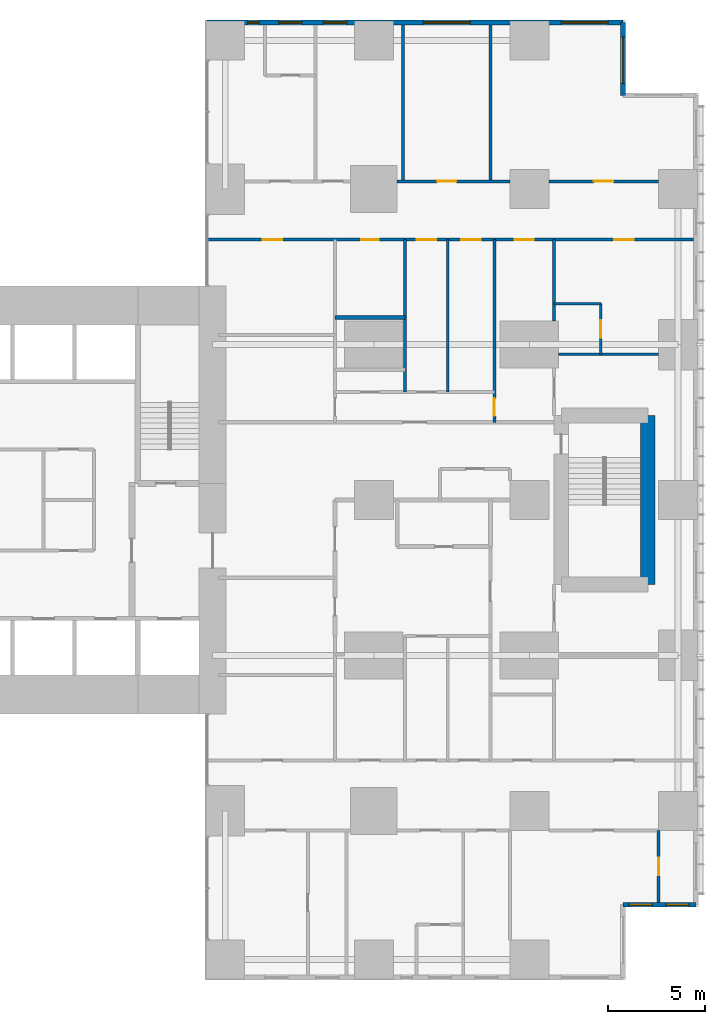
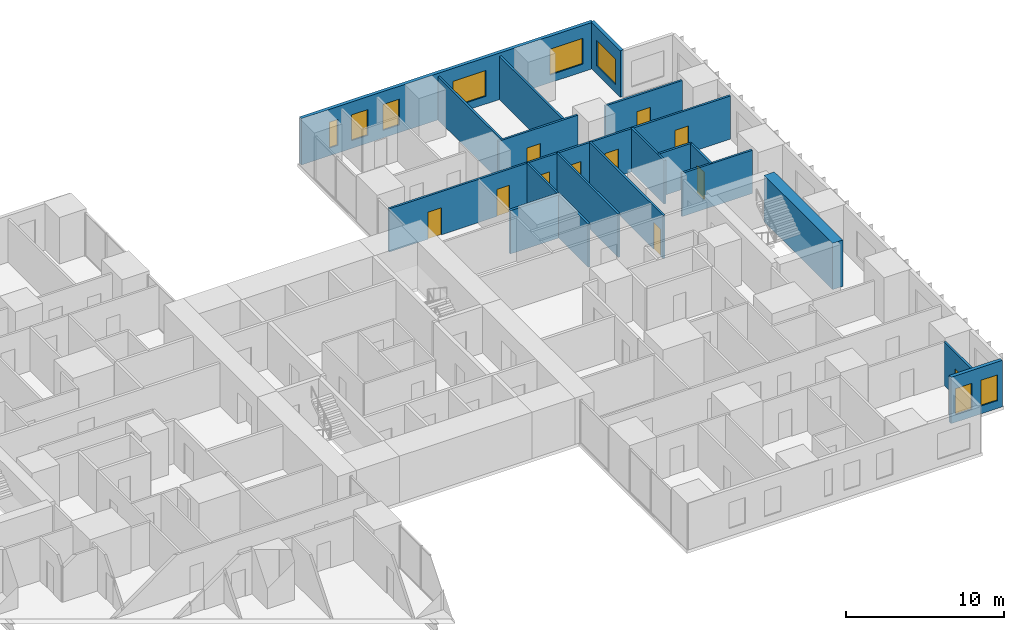
# One storey, part 18 of 20: 18 walls, 11 doors, 8 windows, 19 openings.
"""IFC4 building model written with IfcOpenShell, lengths in metres."""

from ifc_helpers import new_model, si_unit, direction, frame, frame_2d, origin, place, context, subcontext, project, spatial, rectangle, extrude, material, layer, layer_set, type_object, element, fill, save


model = new_model("IFC4")

# Units and contexts
model_context = context("Model", 3, precision=1e-05, world=origin(), true_north=direction((0.0, 1.0)))
body_context = subcontext(model_context, "Body", "Model", "MODEL_VIEW")
ifc_project = project(units=[si_unit("LENGTHUNIT", "METRE"), si_unit("AREAUNIT", "SQUARE_METRE"), si_unit("VOLUMEUNIT", "CUBIC_METRE"), si_unit("PLANEANGLEUNIT", "RADIAN"), si_unit("MASSUNIT", "GRAM", prefix="KILO")], contexts=[model_context])

# Site, building, storey
site_placement = place(None, origin())
site = spatial("IfcSite", under=ifc_project, at=site_placement, CompositionType="ELEMENT")
building_placement = place(site_placement, origin())
building = spatial("IfcBuilding", under=site, at=building_placement, Name="Cleftline Residences", CompositionType="ELEMENT")
storey_placement = place(building_placement, frame((0.0, 0.0, 72.800048828125)))
storey = spatial("IfcBuildingStorey", under=building, at=storey_placement, Name="L18", CompositionType="ELEMENT", Elevation=72.800048828125)

# Wall, openings, windows
ifc_material_1 = material(Name="Rendered reinforced concrete blockwork", Category="masonry")
ifc_layer_1 = layer(ifc_material_1, 0.25)
ifc_layer_set_1 = layer_set([ifc_layer_1], Name="EXTERNAL WALL 250")
wall_type_1 = type_object("IfcWallType", Name="EXTERNAL WALL 250", PredefinedType="SOLIDWALL", material=ifc_layer_set_1)
wall_1_placement = place(storey_placement, frame((62.824951171875, 3.175048828125, 0.0), z_axis=(0.0, 0.0, 1.0), x_axis=(1.0, 0.0, 0.0)))
wall_1 = element("IfcWall", 1, at=wall_1_placement, inside=storey, type_object=wall_type_1, Name="External wall", PredefinedType="SOLIDWALL", context=body_context, shape_type="SweptSolid", body=[
    extrude(rectangle(XDim=3.75, YDim=0.25, at=frame_2d((1.875, 0.0))), origin(), (0.0, 0.0, 1.0), 3.599853515625),
])
opening_1_placement = place(wall_1_placement, frame((0.3125, 0.0, 0.60009765625)))
opening_1 = element("IfcOpeningElement", 2, at=opening_1_placement, cuts=wall_1, Name="Opening W8", PredefinedType="OPENING", context=body_context, shape_type="SweptSolid", body=[
    extrude(rectangle(XDim=1.199951171875, YDim=2.0, at=frame_2d((0.60009765625, 1.0))), frame((0.0, 0.135009765625, 0.0), z_axis=(0.0, -1.0, 0.0), x_axis=(1.0, 0.0, 0.0)), (0.0, 0.0, 1.0), 0.27001953125),
])
opening_2_placement = place(wall_1_placement, frame((2.199951171875, 0.0, 0.60009765625)))
opening_2 = element("IfcOpeningElement", 3, at=opening_2_placement, cuts=wall_1, Name="Opening W8", PredefinedType="OPENING", context=body_context, shape_type="SweptSolid", body=[
    extrude(rectangle(XDim=1.199951171875, YDim=2.0, at=frame_2d((0.60009765625, 1.0))), frame((0.0, 0.135009765625, 0.0), z_axis=(0.0, -1.0, 0.0), x_axis=(1.0, 0.0, 0.0)), (0.0, 0.0, 1.0), 0.27001953125),
])
ifc_material_2 = material(Name="Aluminium frame, clear double glazing", Category="aluminium")
window_type_1 = type_object("IfcWindowType", Name="WINDOW 1200X2000", PartitioningType="DOUBLE_PANEL_VERTICAL", PredefinedType="WINDOW", material=ifc_material_2)
window_1_placement = place(opening_1_placement, origin())
window_1 = element("IfcWindow", 4, at=window_1_placement, inside=storey, type_object=window_type_1, Name="Window", OverallHeight=2.0, OverallWidth=1.199951171875, PartitioningType="SINGLE_PANEL", PredefinedType="WINDOW", context=body_context, shape_type="SweptSolid", body=[
    extrude(rectangle(XDim=1.199951171875, YDim=2.0, at=frame_2d((0.60009765625, 1.0))), frame((0.0, 0.030029296875, 0.0), z_axis=(0.0, -1.0, 0.0), x_axis=(1.0, 0.0, 0.0)), (0.0, 0.0, 1.0), 0.06005859375),
])
fill(opening_1, window_1)
window_2_placement = place(opening_2_placement, origin())
window_2 = element("IfcWindow", 5, at=window_2_placement, inside=storey, type_object=window_type_1, Name="Window", OverallHeight=2.0, OverallWidth=1.199951171875, PartitioningType="SINGLE_PANEL", PredefinedType="WINDOW", context=body_context, shape_type="SweptSolid", body=[
    extrude(rectangle(XDim=1.199951171875, YDim=2.0, at=frame_2d((0.60009765625, 1.0))), frame((0.0, 0.030029296875, 0.0), z_axis=(0.0, -1.0, 0.0), x_axis=(1.0, 0.0, 0.0)), (0.0, 0.0, 1.0), 0.06005859375),
])
fill(opening_2, window_2)

# Wall, opening, window
wall_2_placement = place(storey_placement, frame((62.824951171875, 44.824951171875, 0.0), z_axis=(0.0, 0.0, 1.0), x_axis=(0.0, 1.0, 0.0)))
wall_2 = element("IfcWall", 6, at=wall_2_placement, inside=storey, type_object=wall_type_1, Name="External wall", PredefinedType="SOLIDWALL", context=body_context, shape_type="SweptSolid", body=[
    extrude(rectangle(XDim=3.75, YDim=0.25, at=frame_2d((1.875, 0.0))), origin(), (0.0, 0.0, 1.0), 3.599853515625),
])
opening_3_placement = place(wall_2_placement, frame((0.612548828125, 0.0, 0.60009765625)))
opening_3 = element("IfcOpeningElement", 7, at=opening_3_placement, cuts=wall_2, Name="Opening W6", PredefinedType="OPENING", context=body_context, shape_type="SweptSolid", body=[
    extrude(rectangle(XDim=2.39990234375, YDim=2.0, at=frame_2d((1.199951171875, 1.0))), frame((0.0, 0.135009765625, 0.0), z_axis=(0.0, -1.0, 0.0), x_axis=(1.0, 0.0, 0.0)), (0.0, 0.0, 1.0), 0.27001953125),
])
ifc_material_3 = material(Name="Aluminium frame, clear double glazing", Category="aluminium")
window_type_2 = type_object("IfcWindowType", Name="WINDOW 2400X2000", PartitioningType="DOUBLE_PANEL_VERTICAL", PredefinedType="WINDOW", material=ifc_material_3)
window_3_placement = place(opening_3_placement, origin())
window_3 = element("IfcWindow", 8, at=window_3_placement, inside=storey, type_object=window_type_2, Name="Window", OverallHeight=2.0, OverallWidth=2.39990234375, PartitioningType="SINGLE_PANEL", PredefinedType="WINDOW", context=body_context, shape_type="SweptSolid", body=[
    extrude(rectangle(XDim=2.39990234375, YDim=2.0, at=frame_2d((1.199951171875, 1.0))), frame((0.0, 0.030029296875, 0.0), z_axis=(0.0, -1.0, 0.0), x_axis=(1.0, 0.0, 0.0)), (0.0, 0.0, 1.0), 0.06005859375),
])
fill(opening_3, window_3)

# Wall, openings, windows
wall_3_placement = place(storey_placement, frame((62.824951171875, 48.574951171875, 0.0), z_axis=(0.0, 0.0, 1.0), x_axis=(-1.0, 0.0, 0.0)))
wall_3 = element("IfcWall", 9, at=wall_3_placement, inside=storey, type_object=wall_type_1, Name="External wall", PredefinedType="SOLIDWALL", context=body_context, shape_type="SweptSolid", body=[
    extrude(rectangle(XDim=21.39990234375, YDim=0.25, at=frame_2d((10.699951171875, 0.0))), origin(), (0.0, 0.0, 1.0), 3.599853515625),
])
opening_4_placement = place(wall_3_placement, frame((0.77490234375, 0.0, 0.60009765625)))
opening_4 = element("IfcOpeningElement", 10, at=opening_4_placement, cuts=wall_3, Name="Opening W6", PredefinedType="OPENING", context=body_context, shape_type="SweptSolid", body=[
    extrude(rectangle(XDim=2.39990234375, YDim=2.0, at=frame_2d((1.199951171875, 1.0))), frame((0.0, 0.135009765625, 0.0), z_axis=(0.0, -1.0, 0.0), x_axis=(1.0, 0.0, 0.0)), (0.0, 0.0, 1.0), 0.27001953125),
])
opening_5_placement = place(wall_3_placement, frame((7.875, 0.0, 0.60009765625)))
opening_5 = element("IfcOpeningElement", 11, at=opening_5_placement, cuts=wall_3, Name="Opening W6", PredefinedType="OPENING", context=body_context, shape_type="SweptSolid", body=[
    extrude(rectangle(XDim=2.39990234375, YDim=2.0, at=frame_2d((1.199951171875, 1.0))), frame((0.0, 0.135009765625, 0.0), z_axis=(0.0, -1.0, 0.0), x_axis=(1.0, 0.0, 0.0)), (0.0, 0.0, 1.0), 0.27001953125),
])
opening_6_placement = place(wall_3_placement, frame((14.22509765625, 0.0, 0.60009765625)))
opening_6 = element("IfcOpeningElement", 12, at=opening_6_placement, cuts=wall_3, Name="Opening W8", PredefinedType="OPENING", context=body_context, shape_type="SweptSolid", body=[
    extrude(rectangle(XDim=1.199951171875, YDim=2.0, at=frame_2d((0.60009765625, 1.0))), frame((0.0, 0.135009765625, 0.0), z_axis=(0.0, -1.0, 0.0), x_axis=(1.0, 0.0, 0.0)), (0.0, 0.0, 1.0), 0.27001953125),
])
opening_7_placement = place(wall_3_placement, frame((16.52490234375, 0.0, 0.60009765625)))
opening_7 = element("IfcOpeningElement", 13, at=opening_7_placement, cuts=wall_3, Name="Opening W8", PredefinedType="OPENING", context=body_context, shape_type="SweptSolid", body=[
    extrude(rectangle(XDim=1.199951171875, YDim=2.0, at=frame_2d((0.60009765625, 1.0))), frame((0.0, 0.135009765625, 0.0), z_axis=(0.0, -1.0, 0.0), x_axis=(1.0, 0.0, 0.0)), (0.0, 0.0, 1.0), 0.27001953125),
])
opening_8_placement = place(wall_3_placement, frame((18.72509765625, 0.0, 0.60009765625)))
opening_8 = element("IfcOpeningElement", 14, at=opening_8_placement, cuts=wall_3, Name="Opening W7", PredefinedType="OPENING", context=body_context, shape_type="SweptSolid", body=[
    extrude(rectangle(XDim=0.60009765625, YDim=2.0, at=frame_2d((0.300048828125, 1.0))), frame((0.0, 0.135009765625, 0.0), z_axis=(0.0, -1.0, 0.0), x_axis=(1.0, 0.0, 0.0)), (0.0, 0.0, 1.0), 0.27001953125),
])
window_4_placement = place(opening_6_placement, origin())
window_4 = element("IfcWindow", 15, at=window_4_placement, inside=storey, type_object=window_type_1, Name="Window", OverallHeight=2.0, OverallWidth=1.199951171875, PartitioningType="SINGLE_PANEL", PredefinedType="WINDOW", context=body_context, shape_type="SweptSolid", body=[
    extrude(rectangle(XDim=1.199951171875, YDim=2.0, at=frame_2d((0.60009765625, 1.0))), frame((0.0, 0.030029296875, 0.0), z_axis=(0.0, -1.0, 0.0), x_axis=(1.0, 0.0, 0.0)), (0.0, 0.0, 1.0), 0.06005859375),
])
fill(opening_6, window_4)
window_5_placement = place(opening_7_placement, origin())
window_5 = element("IfcWindow", 16, at=window_5_placement, inside=storey, type_object=window_type_1, Name="Window", OverallHeight=2.0, OverallWidth=1.199951171875, PartitioningType="SINGLE_PANEL", PredefinedType="WINDOW", context=body_context, shape_type="SweptSolid", body=[
    extrude(rectangle(XDim=1.199951171875, YDim=2.0, at=frame_2d((0.60009765625, 1.0))), frame((0.0, 0.030029296875, 0.0), z_axis=(0.0, -1.0, 0.0), x_axis=(1.0, 0.0, 0.0)), (0.0, 0.0, 1.0), 0.06005859375),
])
fill(opening_7, window_5)
window_6_placement = place(opening_4_placement, origin())
window_6 = element("IfcWindow", 17, at=window_6_placement, inside=storey, type_object=window_type_2, Name="Window", OverallHeight=2.0, OverallWidth=2.39990234375, PartitioningType="SINGLE_PANEL", PredefinedType="WINDOW", context=body_context, shape_type="SweptSolid", body=[
    extrude(rectangle(XDim=2.39990234375, YDim=2.0, at=frame_2d((1.199951171875, 1.0))), frame((0.0, 0.030029296875, 0.0), z_axis=(0.0, -1.0, 0.0), x_axis=(1.0, 0.0, 0.0)), (0.0, 0.0, 1.0), 0.06005859375),
])
fill(opening_4, window_6)
window_7_placement = place(opening_5_placement, origin())
window_7 = element("IfcWindow", 18, at=window_7_placement, inside=storey, type_object=window_type_2, Name="Window", OverallHeight=2.0, OverallWidth=2.39990234375, PartitioningType="SINGLE_PANEL", PredefinedType="WINDOW", context=body_context, shape_type="SweptSolid", body=[
    extrude(rectangle(XDim=2.39990234375, YDim=2.0, at=frame_2d((1.199951171875, 1.0))), frame((0.0, 0.030029296875, 0.0), z_axis=(0.0, -1.0, 0.0), x_axis=(1.0, 0.0, 0.0)), (0.0, 0.0, 1.0), 0.06005859375),
])
fill(opening_5, window_7)
ifc_material_4 = material(Name="Aluminium frame, clear double glazing", Category="aluminium")
window_type_3 = type_object("IfcWindowType", Name="WINDOW 600X2000", PartitioningType="DOUBLE_PANEL_VERTICAL", PredefinedType="WINDOW", material=ifc_material_4)
window_8_placement = place(opening_8_placement, origin())
window_8 = element("IfcWindow", 19, at=window_8_placement, inside=storey, type_object=window_type_3, Name="Window", OverallHeight=2.0, OverallWidth=0.60009765625, PartitioningType="SINGLE_PANEL", PredefinedType="WINDOW", context=body_context, shape_type="SweptSolid", body=[
    extrude(rectangle(XDim=0.60009765625, YDim=2.0, at=frame_2d((0.300048828125, 1.0))), frame((0.0, 0.030029296875, 0.0), z_axis=(0.0, -1.0, 0.0), x_axis=(1.0, 0.0, 0.0)), (0.0, 0.0, 1.0), 0.06005859375),
])
fill(opening_8, window_8)

# Walls
ifc_material_5 = material(Name="Concrete blockwork, fire rated", Category="masonry")
ifc_layer_2 = layer(ifc_material_5, 0.199951171875)
ifc_layer_set_2 = layer_set([ifc_layer_2], Name="FIRE WALL 200")
wall_type_2 = type_object("IfcWallType", Name="FIRE WALL 200", PredefinedType="PARTITIONING", material=ifc_layer_set_2)
wall_4_placement = place(storey_placement, frame((48.0, 33.39990234375, 0.0), z_axis=(0.0, 0.0, 1.0), x_axis=(1.0, 0.0, 0.0)))
element("IfcWall", 20, at=wall_4_placement, inside=storey, type_object=wall_type_2, Name="Fire separating wall", PredefinedType="PARTITIONING", context=body_context, shape_type="SweptSolid", body=[
    extrude(rectangle(XDim=3.60009765625, YDim=0.199951171875, at=frame_2d((1.800048828125, 0.0))), origin(), (0.0, 0.0, 1.0), 3.349853515625),
])
ifc_material_6 = material(Name="Gypsum board on steel studs", Category="steel")
ifc_layer_3 = layer(ifc_material_6, 0.14990234375)
ifc_layer_set_3 = layer_set([ifc_layer_3], Name="PARTITION 150")
wall_type_3 = type_object("IfcWallType", Name="PARTITION 150", PredefinedType="PARTITIONING", material=ifc_layer_set_3)
wall_5_placement = place(storey_placement, frame((59.5, 31.5, 0.0), z_axis=(0.0, 0.0, 1.0), x_axis=(1.0, 0.0, 0.0)))
element("IfcWall", 21, at=wall_5_placement, inside=storey, type_object=wall_type_3, Name="Partition", PredefinedType="PARTITIONING", context=body_context, shape_type="SweptSolid", body=[
    extrude(rectangle(XDim=5.14990234375, YDim=0.14990234375, at=frame_2d((2.574951171875, 0.0))), origin(), (0.0, 0.0, 1.0), 3.349853515625),
])
wall_6_placement = place(storey_placement, frame((59.27490234375, 34.10009765625, 0.0), z_axis=(0.0, 0.0, 1.0), x_axis=(1.0, 0.0, 0.0)))
element("IfcWall", 22, at=wall_6_placement, inside=storey, type_object=wall_type_3, Name="Partition", PredefinedType="PARTITIONING", context=body_context, shape_type="SweptSolid", body=[
    extrude(rectangle(XDim=2.400146484375, YDim=0.14990234375, at=frame_2d((1.2001953125, 0.0))), origin(), (0.0, 0.0, 1.0), 3.349853515625),
])

# Wall, openings, doors
wall_7_placement = place(storey_placement, frame((41.43896484375, 37.39990234375, 0.0), z_axis=(0.0, 0.0, 1.0), x_axis=(1.0, 0.0, 0.0)))
wall_7 = element("IfcWall", 23, at=wall_7_placement, inside=storey, type_object=wall_type_3, Name="Partition", PredefinedType="PARTITIONING", context=body_context, shape_type="SweptSolid", body=[
    extrude(rectangle(XDim=25.010986328125, YDim=0.14990234375, at=frame_2d((12.50537109375, 0.0))), origin(), (0.0, 0.0, 1.0), 3.349853515625),
])
opening_9_placement = place(wall_7_placement, frame((10.760986328125, 0.0, 0.0)))
opening_9 = element("IfcOpeningElement", 24, at=opening_9_placement, cuts=wall_7, Name="Opening D2", PredefinedType="OPENING", context=body_context, shape_type="SweptSolid", body=[
    extrude(rectangle(XDim=1.0, YDim=2.10009765625, at=frame_2d((0.5, 1.050048828125))), frame((0.0, 0.0849609375, 0.0), z_axis=(0.0, -1.0, 0.0), x_axis=(1.0, 0.0, 0.0)), (0.0, 0.0, 1.0), 0.169921875),
])
opening_10_placement = place(wall_7_placement, frame((20.923583984375, 0.0, 0.0)))
opening_10 = element("IfcOpeningElement", 25, at=opening_10_placement, cuts=wall_7, Name="Opening D2", PredefinedType="OPENING", context=body_context, shape_type="SweptSolid", body=[
    extrude(rectangle(XDim=1.0, YDim=2.10009765625, at=frame_2d((0.5, 1.050048828125))), frame((0.0, 0.0849609375, 0.0), z_axis=(0.0, -1.0, 0.0), x_axis=(1.0, 0.0, 0.0)), (0.0, 0.0, 1.0), 0.169921875),
])
opening_11_placement = place(wall_7_placement, frame((15.798583984375, 0.0, 0.0)))
opening_11 = element("IfcOpeningElement", 26, at=opening_11_placement, cuts=wall_7, Name="Opening D2", PredefinedType="OPENING", context=body_context, shape_type="SweptSolid", body=[
    extrude(rectangle(XDim=1.0, YDim=2.10009765625, at=frame_2d((0.5, 1.050048828125))), frame((0.0, 0.0849609375, 0.0), z_axis=(0.0, -1.0, 0.0), x_axis=(1.0, 0.0, 0.0)), (0.0, 0.0, 1.0), 0.169921875),
])
opening_12_placement = place(wall_7_placement, frame((13.06103515625, 0.0, 0.0)))
opening_12 = element("IfcOpeningElement", 27, at=opening_12_placement, cuts=wall_7, Name="Opening D2", PredefinedType="OPENING", context=body_context, shape_type="SweptSolid", body=[
    extrude(rectangle(XDim=1.0, YDim=2.10009765625, at=frame_2d((0.5, 1.050048828125))), frame((0.0, 0.0849609375, 0.0), z_axis=(0.0, -1.0, 0.0), x_axis=(1.0, 0.0, 0.0)), (0.0, 0.0, 1.0), 0.169921875),
])
opening_13_placement = place(wall_7_placement, frame((7.910888671875, 0.0, 0.0)))
opening_13 = element("IfcOpeningElement", 28, at=opening_13_placement, cuts=wall_7, Name="Opening D1", PredefinedType="OPENING", context=body_context, shape_type="SweptSolid", body=[
    extrude(rectangle(XDim=0.89990234375, YDim=2.10009765625, at=frame_2d((0.449951171875, 1.050048828125))), frame((0.0, 0.0849609375, 0.0), z_axis=(0.0, -1.0, 0.0), x_axis=(1.0, 0.0, 0.0)), (0.0, 0.0, 1.0), 0.169921875),
])
opening_14_placement = place(wall_7_placement, frame((2.8359375, 0.0, 0.0)))
opening_14 = element("IfcOpeningElement", 29, at=opening_14_placement, cuts=wall_7, Name="Opening D2", PredefinedType="OPENING", context=body_context, shape_type="SweptSolid", body=[
    extrude(rectangle(XDim=1.0, YDim=2.10009765625, at=frame_2d((0.5, 1.050048828125))), frame((0.0, 0.0849609375, 0.0), z_axis=(0.0, -1.0, 0.0), x_axis=(1.0, 0.0, 0.0)), (0.0, 0.0, 1.0), 0.169921875),
])
ifc_material_7 = material(Name="Timber veneer on solid core", Category="wood")
door_type_1 = type_object("IfcDoorType", Name="DOOR 1000X2100", OperationType="SINGLE_SWING_LEFT", PredefinedType="DOOR", material=ifc_material_7)
door_1_placement = place(opening_9_placement, origin())
door_1 = element("IfcDoor", 30, at=door_1_placement, inside=storey, type_object=door_type_1, Name="Door to residence hall", OperationType="SINGLE_SWING_RIGHT", OverallHeight=2.10009765625, OverallWidth=1.0, PredefinedType="DOOR", context=body_context, shape_type="SweptSolid", body=[
    extrude(rectangle(XDim=1.0, YDim=2.10009765625, at=frame_2d((0.5, 1.050048828125))), frame((0.0, 0.02490234375, 0.0), z_axis=(0.0, -1.0, 0.0), x_axis=(1.0, 0.0, 0.0)), (0.0, 0.0, 1.0), 0.050048828125),
])
fill(opening_9, door_1)
door_2_placement = place(opening_10_placement, origin())
door_2 = element("IfcDoor", 31, at=door_2_placement, inside=storey, type_object=door_type_1, Name="Door to master bedroom", OperationType="SINGLE_SWING_LEFT", OverallHeight=2.10009765625, OverallWidth=1.0, PredefinedType="DOOR", context=body_context, shape_type="SweptSolid", body=[
    extrude(rectangle(XDim=1.0, YDim=2.10009765625, at=frame_2d((0.5, 1.050048828125))), frame((0.0, 0.02490234375, 0.0), z_axis=(0.0, -1.0, 0.0), x_axis=(1.0, 0.0, 0.0)), (0.0, 0.0, 1.0), 0.050048828125),
])
fill(opening_10, door_2)
door_3_placement = place(opening_11_placement, origin())
door_3 = element("IfcDoor", 32, at=door_3_placement, inside=storey, type_object=door_type_1, Name="Door to wet kitchen", OperationType="SINGLE_SWING_LEFT", OverallHeight=2.10009765625, OverallWidth=1.0, PredefinedType="DOOR", context=body_context, shape_type="SweptSolid", body=[
    extrude(rectangle(XDim=1.0, YDim=2.10009765625, at=frame_2d((0.5, 1.050048828125))), frame((0.0, 0.02490234375, 0.0), z_axis=(0.0, -1.0, 0.0), x_axis=(1.0, 0.0, 0.0)), (0.0, 0.0, 1.0), 0.050048828125),
])
fill(opening_11, door_3)
door_4_placement = place(opening_12_placement, origin())
door_4 = element("IfcDoor", 33, at=door_4_placement, inside=storey, type_object=door_type_1, Name="Door to media room", OperationType="SINGLE_SWING_LEFT", OverallHeight=2.10009765625, OverallWidth=1.0, PredefinedType="DOOR", context=body_context, shape_type="SweptSolid", body=[
    extrude(rectangle(XDim=1.0, YDim=2.10009765625, at=frame_2d((0.5, 1.050048828125))), frame((0.0, 0.02490234375, 0.0), z_axis=(0.0, -1.0, 0.0), x_axis=(1.0, 0.0, 0.0)), (0.0, 0.0, 1.0), 0.050048828125),
])
fill(opening_12, door_4)
door_5_placement = place(opening_14_placement, origin())
door_5 = element("IfcDoor", 34, at=door_5_placement, inside=storey, type_object=door_type_1, Name="Door to study", OperationType="SINGLE_SWING_RIGHT", OverallHeight=2.10009765625, OverallWidth=1.0, PredefinedType="DOOR", context=body_context, shape_type="SweptSolid", body=[
    extrude(rectangle(XDim=1.0, YDim=2.10009765625, at=frame_2d((0.5, 1.050048828125))), frame((0.0, 0.02490234375, 0.0), z_axis=(0.0, -1.0, 0.0), x_axis=(1.0, 0.0, 0.0)), (0.0, 0.0, 1.0), 0.050048828125),
])
fill(opening_14, door_5)
ifc_material_8 = material(Name="Timber veneer on solid core", Category="wood")
door_type_2 = type_object("IfcDoorType", Name="DOOR 900X2100", OperationType="SINGLE_SWING_LEFT", PredefinedType="DOOR", material=ifc_material_8)
door_6_placement = place(opening_13_placement, origin())
door_6 = element("IfcDoor", 35, at=door_6_placement, inside=storey, type_object=door_type_2, Name="Door to bedroom 2 bathroom", OperationType="SINGLE_SWING_RIGHT", OverallHeight=2.10009765625, OverallWidth=0.89990234375, PredefinedType="DOOR", context=body_context, shape_type="SweptSolid", body=[
    extrude(rectangle(XDim=0.89990234375, YDim=2.10009765625, at=frame_2d((0.449951171875, 1.050048828125))), frame((0.0, 0.02490234375, 0.0), z_axis=(0.0, -1.0, 0.0), x_axis=(1.0, 0.0, 0.0)), (0.0, 0.0, 1.0), 0.050048828125),
])
fill(opening_13, door_6)

# Wall, opening, door
wall_8_placement = place(storey_placement, frame((51.199951171875, 40.39990234375, 0.0), z_axis=(0.0, 0.0, 1.0), x_axis=(1.0, 0.0, 0.0)))
wall_8 = element("IfcWall", 36, at=wall_8_placement, inside=storey, type_object=wall_type_3, Name="Partition", PredefinedType="PARTITIONING", context=body_context, shape_type="SweptSolid", body=[
    extrude(rectangle(XDim=5.800048828125, YDim=0.14990234375, at=frame_2d((2.89990234375, 0.0))), origin(), (0.0, 0.0, 1.0), 3.349853515625),
])
opening_15_placement = place(wall_8_placement, frame((2.050048828125, 0.0, 0.0)))
opening_15 = element("IfcOpeningElement", 37, at=opening_15_placement, cuts=wall_8, Name="Opening D2", PredefinedType="OPENING", context=body_context, shape_type="SweptSolid", body=[
    extrude(rectangle(XDim=1.0, YDim=2.10009765625, at=frame_2d((0.5, 1.050048828125))), frame((0.0, 0.0849609375, 0.0), z_axis=(0.0, -1.0, 0.0), x_axis=(1.0, 0.0, 0.0)), (0.0, 0.0, 1.0), 0.169921875),
])
door_7_placement = place(opening_15_placement, origin())
door_7 = element("IfcDoor", 38, at=door_7_placement, inside=storey, type_object=door_type_1, Name="Door to dining room", OperationType="SINGLE_SWING_RIGHT", OverallHeight=2.10009765625, OverallWidth=1.0, PredefinedType="DOOR", context=body_context, shape_type="SweptSolid", body=[
    extrude(rectangle(XDim=1.0, YDim=2.10009765625, at=frame_2d((0.5, 1.050048828125))), frame((0.0, 0.02490234375, 0.0), z_axis=(0.0, -1.0, 0.0), x_axis=(1.0, 0.0, 0.0)), (0.0, 0.0, 1.0), 0.050048828125),
])
fill(opening_15, door_7)

wall_9_placement = place(storey_placement, frame((59.0, 40.39990234375, 0.0), z_axis=(0.0, 0.0, 1.0), x_axis=(1.0, 0.0, 0.0)))
wall_9 = element("IfcWall", 39, at=wall_9_placement, inside=storey, type_object=wall_type_3, Name="Partition", PredefinedType="PARTITIONING", context=body_context, shape_type="SweptSolid", body=[
    extrude(rectangle(XDim=5.64990234375, YDim=0.14990234375, at=frame_2d((2.824951171875, 0.0))), origin(), (0.0, 0.0, 1.0), 3.349853515625),
])
opening_16_placement = place(wall_9_placement, frame((2.324951171875, 0.0, 0.0)))
opening_16 = element("IfcOpeningElement", 40, at=opening_16_placement, cuts=wall_9, Name="Opening D2", PredefinedType="OPENING", context=body_context, shape_type="SweptSolid", body=[
    extrude(rectangle(XDim=1.0, YDim=2.10009765625, at=frame_2d((0.5, 1.050048828125))), frame((0.0, 0.0849609375, 0.0), z_axis=(0.0, -1.0, 0.0), x_axis=(1.0, 0.0, 0.0)), (0.0, 0.0, 1.0), 0.169921875),
])
door_8_placement = place(opening_16_placement, origin())
door_8 = element("IfcDoor", 41, at=door_8_placement, inside=storey, type_object=door_type_1, Name="Door to sea-view lounge", OperationType="SINGLE_SWING_LEFT", OverallHeight=2.10009765625, OverallWidth=1.0, PredefinedType="DOOR", context=body_context, shape_type="SweptSolid", body=[
    extrude(rectangle(XDim=1.0, YDim=2.10009765625, at=frame_2d((0.5, 1.050048828125))), frame((0.0, 0.02490234375, 0.0), z_axis=(0.0, -1.0, 0.0), x_axis=(1.0, 0.0, 0.0)), (0.0, 0.0, 1.0), 0.050048828125),
])
fill(opening_16, door_8)

# Walls
wall_10_placement = place(storey_placement, frame((51.5, 40.39990234375, 0.0), z_axis=(0.0, 0.0, 1.0), x_axis=(0.0, 1.0, 0.0)))
element("IfcWall", 42, at=wall_10_placement, inside=storey, type_object=wall_type_3, Name="Partition", PredefinedType="PARTITIONING", context=body_context, shape_type="SweptSolid", body=[
    extrude(rectangle(XDim=8.050048828125, YDim=0.14990234375, at=frame_2d((4.02490234375, 0.0))), origin(), (0.0, 0.0, 1.0), 3.349853515625),
])
for number, where, z_axis, x_axis, name in (
    (43, (51.60009765625, 29.550048828125, 0.0), (0.0, 0.0, 1.0), (0.0, 1.0, 0.0), "Partition"),
    (44, (53.800048828125, 29.550048828125, 0.0), (0.0, 0.0, 1.0), (0.0, 1.0, 0.0), "Partition"),
):
    element("IfcWall", number, at=place(storey_placement, frame(where, z_axis=z_axis, x_axis=x_axis)), inside=storey, type_object=wall_type_3, Name=name, PredefinedType="PARTITIONING", context=body_context, shape_type="SweptSolid", body=[
        extrude(rectangle(XDim=7.849853515625, YDim=0.14990234375, at=frame_2d((3.9248046875, 0.0))), origin(), (0.0, 0.0, 1.0), 3.349853515625),
    ])
wall_11_placement = place(storey_placement, frame((56.0, 40.39990234375, 0.0), z_axis=(0.0, 0.0, 1.0), x_axis=(0.0, 1.0, 0.0)))
element("IfcWall", 45, at=wall_11_placement, inside=storey, type_object=wall_type_3, Name="Partition", PredefinedType="PARTITIONING", context=body_context, shape_type="SweptSolid", body=[
    extrude(rectangle(XDim=8.050048828125, YDim=0.14990234375, at=frame_2d((4.02490234375, 0.0))), origin(), (0.0, 0.0, 1.0), 3.349853515625),
])

# Wall, opening, door
wall_12_placement = place(storey_placement, frame((56.199951171875, 28.0, 0.0), z_axis=(0.0, 0.0, 1.0), x_axis=(0.0, 1.0, 0.0)))
wall_12 = element("IfcWall", 46, at=wall_12_placement, inside=storey, type_object=wall_type_3, Name="Partition", PredefinedType="PARTITIONING", context=body_context, shape_type="SweptSolid", body=[
    extrude(rectangle(XDim=9.39990234375, YDim=0.14990234375, at=frame_2d((4.699951171875, 0.0))), origin(), (0.0, 0.0, 1.0), 3.349853515625),
])
opening_17_placement = place(wall_12_placement, frame((0.324951171875, 0.0, 0.0)))
opening_17 = element("IfcOpeningElement", 47, at=opening_17_placement, cuts=wall_12, Name="Opening D1F30", PredefinedType="OPENING", context=body_context, shape_type="SweptSolid", body=[
    extrude(rectangle(XDim=0.89990234375, YDim=2.10009765625, at=frame_2d((0.449951171875, 1.050048828125))), frame((0.0, 0.0849609375, 0.0), z_axis=(0.0, -1.0, 0.0), x_axis=(1.0, 0.0, 0.0)), (0.0, 0.0, 1.0), 0.169921875),
])
ifc_material_9 = material(Name="Timber veneer on solid core", Category="wood")
door_type_3 = type_object("IfcDoorType", Name="DOOR 900X2100 EI 30", OperationType="SINGLE_SWING_LEFT", PredefinedType="DOOR", material=ifc_material_9)
door_9_placement = place(opening_17_placement, origin())
door_9 = element("IfcDoor", 48, at=door_9_placement, inside=storey, type_object=door_type_3, Name="Door to residence lobby", OperationType="SINGLE_SWING_RIGHT", OverallHeight=2.10009765625, OverallWidth=0.89990234375, PredefinedType="DOOR", context=body_context, shape_type="SweptSolid", body=[
    extrude(rectangle(XDim=0.89990234375, YDim=2.10009765625, at=frame_2d((0.449951171875, 1.050048828125))), frame((0.0, 0.02490234375, 0.0), z_axis=(0.0, -1.0, 0.0), x_axis=(1.0, 0.0, 0.0)), (0.0, 0.0, 1.0), 0.050048828125),
])
fill(opening_17, door_9)

# Wall
wall_13_placement = place(storey_placement, frame((59.27490234375, 33.199951171875, 0.0), z_axis=(0.0, 0.0, 1.0), x_axis=(0.0, 1.0, 0.0)))
element("IfcWall", 49, at=wall_13_placement, inside=storey, type_object=wall_type_3, Name="Partition", PredefinedType="PARTITIONING", context=body_context, shape_type="SweptSolid", body=[
    extrude(rectangle(XDim=4.199951171875, YDim=0.14990234375, at=frame_2d((2.10009765625, 0.0))), origin(), (0.0, 0.0, 1.0), 3.349853515625),
])

# Wall, opening, door
wall_14_placement = place(storey_placement, frame((61.675048828125, 31.5, 0.0), z_axis=(0.0, 0.0, 1.0), x_axis=(0.0, 1.0, 0.0)))
wall_14 = element("IfcWall", 50, at=wall_14_placement, inside=storey, type_object=wall_type_3, Name="Partition", PredefinedType="PARTITIONING", context=body_context, shape_type="SweptSolid", body=[
    extrude(rectangle(XDim=2.60009765625, YDim=0.14990234375, at=frame_2d((1.300048828125, 0.0))), origin(), (0.0, 0.0, 1.0), 3.349853515625),
])
opening_18_placement = place(wall_14_placement, frame((0.85009765625, 0.0, 0.0)))
opening_18 = element("IfcOpeningElement", 51, at=opening_18_placement, cuts=wall_14, Name="Opening D1", PredefinedType="OPENING", context=body_context, shape_type="SweptSolid", body=[
    extrude(rectangle(XDim=0.89990234375, YDim=2.10009765625, at=frame_2d((0.449951171875, 1.050048828125))), frame((0.0, 0.0849609375, 0.0), z_axis=(0.0, -1.0, 0.0), x_axis=(1.0, 0.0, 0.0)), (0.0, 0.0, 1.0), 0.169921875),
])
door_10_placement = place(opening_18_placement, origin())
door_10 = element("IfcDoor", 52, at=door_10_placement, inside=storey, type_object=door_type_2, Name="Door to master bathroom", OperationType="SINGLE_SWING_LEFT", OverallHeight=2.10009765625, OverallWidth=0.89990234375, PredefinedType="DOOR", context=body_context, shape_type="SweptSolid", body=[
    extrude(rectangle(XDim=0.89990234375, YDim=2.10009765625, at=frame_2d((0.449951171875, 1.050048828125))), frame((0.0, 0.02490234375, 0.0), z_axis=(0.0, -1.0, 0.0), x_axis=(1.0, 0.0, 0.0)), (0.0, 0.0, 1.0), 0.050048828125),
])
fill(opening_18, door_10)

wall_15_placement = place(storey_placement, frame((64.64990234375, 3.300048828125, 0.0), z_axis=(0.0, 0.0, 1.0), x_axis=(0.0, 1.0, 0.0)))
wall_15 = element("IfcWall", 53, at=wall_15_placement, inside=storey, type_object=wall_type_3, Name="Partition", PredefinedType="PARTITIONING", context=body_context, shape_type="SweptSolid", body=[
    extrude(rectangle(XDim=3.699951171875, YDim=0.14990234375, at=frame_2d((1.85009765625, 0.0))), origin(), (0.0, 0.0, 1.0), 3.349853515625),
])
opening_19_placement = place(wall_15_placement, frame((1.39990234375, 0.0, 0.0)))
opening_19 = element("IfcOpeningElement", 54, at=opening_19_placement, cuts=wall_15, Name="Opening D1", PredefinedType="OPENING", context=body_context, shape_type="SweptSolid", body=[
    extrude(rectangle(XDim=0.89990234375, YDim=2.10009765625, at=frame_2d((0.449951171875, 1.050048828125))), frame((0.0, 0.0849609375, 0.0), z_axis=(0.0, -1.0, 0.0), x_axis=(1.0, 0.0, 0.0)), (0.0, 0.0, 1.0), 0.169921875),
])
door_11_placement = place(opening_19_placement, origin())
door_11 = element("IfcDoor", 55, at=door_11_placement, inside=storey, type_object=door_type_2, Name="Door to walk-in wardrobe", OperationType="SINGLE_SWING_LEFT", OverallHeight=2.10009765625, OverallWidth=0.89990234375, PredefinedType="DOOR", context=body_context, shape_type="SweptSolid", body=[
    extrude(rectangle(XDim=0.89990234375, YDim=2.10009765625, at=frame_2d((0.449951171875, 1.050048828125))), frame((0.0, 0.02490234375, 0.0), z_axis=(0.0, -1.0, 0.0), x_axis=(1.0, 0.0, 0.0)), (0.0, 0.0, 1.0), 0.050048828125),
])
fill(opening_19, door_11)

# Wall
ifc_material_10 = material(Name="Concrete B70", Category="concrete")
ifc_layer_4 = layer(ifc_material_10, 0.75)
ifc_layer_set_4 = layer_set([ifc_layer_4], Name="SHEAR WALL 750")
wall_type_4 = type_object("IfcWallType", Name="SHEAR WALL 750", PredefinedType="SHEAR", material=ifc_layer_set_4)
wall_16_placement = place(storey_placement, frame((64.10009765625, 19.64990234375, 0.0), z_axis=(0.0, 0.0, 1.0), x_axis=(0.0, 1.0, 0.0)))
element("IfcWall", 56, at=wall_16_placement, inside=storey, type_object=wall_type_4, Name="Wing shear wall", PredefinedType="SHEAR", context=body_context, shape_type="SweptSolid", body=[
    extrude(rectangle(XDim=8.7001953125, YDim=0.75, at=frame_2d((4.35009765625, 0.0))), origin(), (0.0, 0.0, 1.0), 3.599853515625),
])

save(model, "model.ifc")
